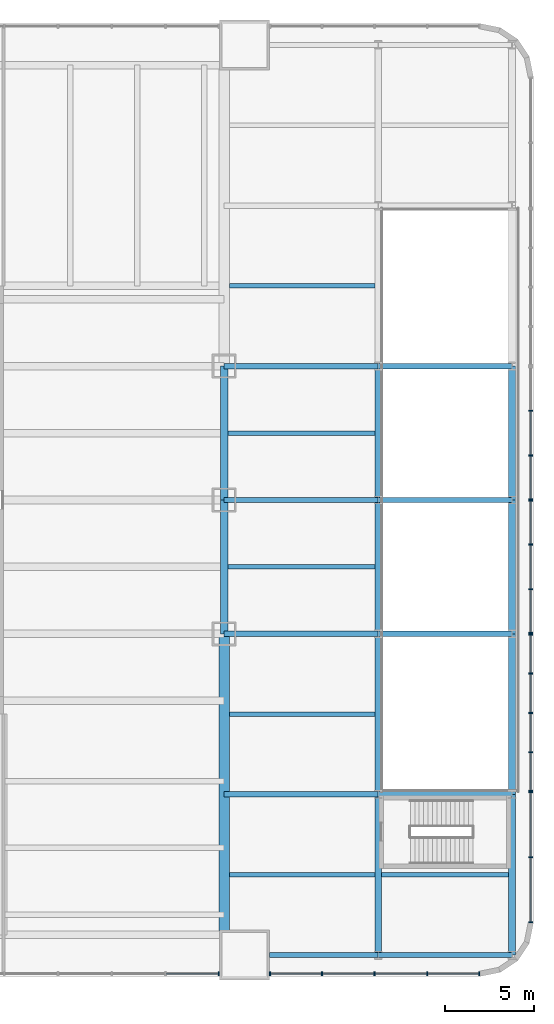
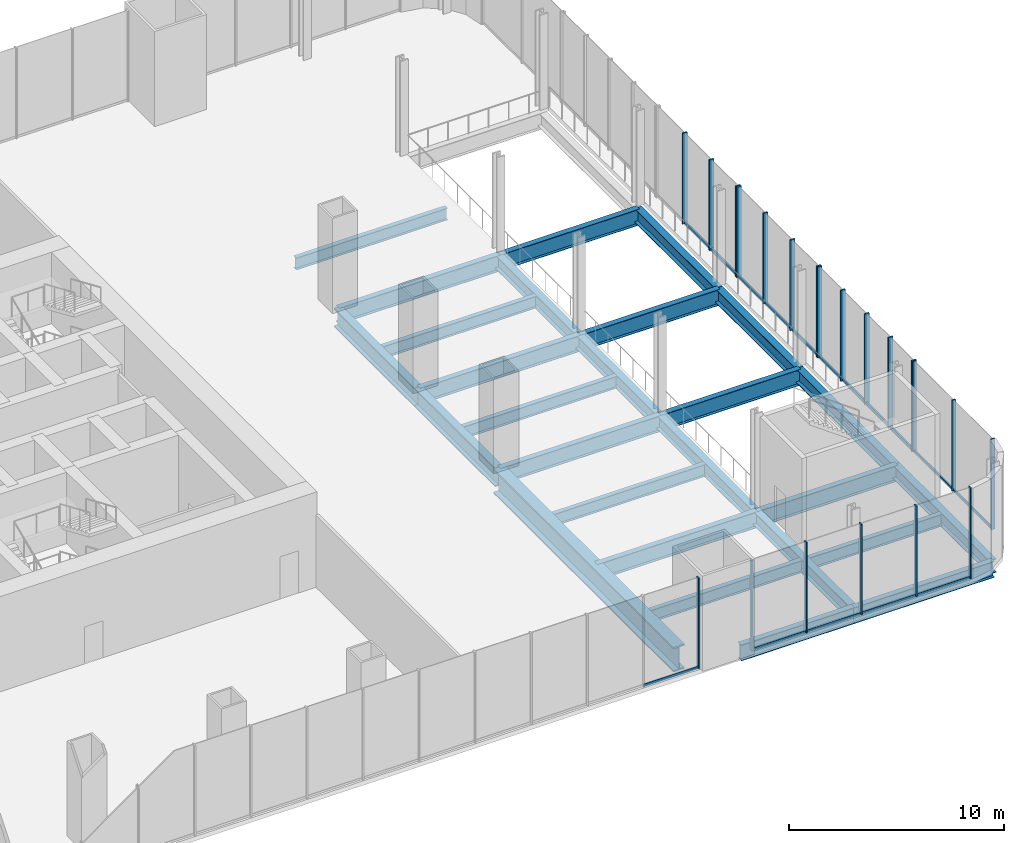
# One storey, part 8 of 16: 37 members, 27 beams, 6 elements without a shape of their own.
"""IFC4 building model written with IfcOpenShell, lengths in metres."""

from ifc_helpers import new_model, si_unit, direction, frame, origin, origin_2d, place, context, subcontext, project, spatial, rectangle, i_section, extrude, material, material_profile, profile_set, type_object, element, aggregate, save


model = new_model("IFC4")

# Units and contexts
model_context = context("Model", 3, precision=1e-05, world=origin(), true_north=direction((0.0, 1.0)))
body_context = subcontext(model_context, "Body", "Model", "MODEL_VIEW")
ifc_project = project(units=[si_unit("LENGTHUNIT", "METRE"), si_unit("AREAUNIT", "SQUARE_METRE"), si_unit("VOLUMEUNIT", "CUBIC_METRE"), si_unit("PLANEANGLEUNIT", "RADIAN"), si_unit("MASSUNIT", "GRAM", prefix="KILO")], contexts=[model_context])

# Site, building, storey
site_placement = place(None, origin())
site = spatial("IfcSite", under=ifc_project, at=site_placement, CompositionType="ELEMENT")
building_placement = place(site_placement, origin())
building = spatial("IfcBuilding", under=site, at=building_placement, Name="Tarangal Relay Tower", CompositionType="ELEMENT")
storey_placement = place(building_placement, frame((0.0, 0.0, 7.199951171875)))
storey = spatial("IfcBuildingStorey", under=building, at=storey_placement, Name="L01", CompositionType="ELEMENT", Elevation=7.199951171875)

# Beams
ifc_material_1 = material(Name="Steel ASTM A992", Category="steel")
ifc_material_profile_1 = material_profile(ifc_material_1, i_section(OverallWidth=0.41650390625, OverallDepth=1.0693359375, WebThickness=0.0390625, FlangeThickness=0.070068359375, at=origin_2d()), Name="W40X503")
ifc_profile_set_1 = profile_set([ifc_material_profile_1], Name="Steel ASTM A992")
beam_type_1 = type_object("IfcBeamType", Name="Edge girder W40X503", PredefinedType="SPANDREL", material=ifc_profile_set_1)
for number, where, z_axis, x_axis, name in (
    (1, (24.364990234375, 7.5, -0.78466796875), (0.0, -1.0, 0.0), (1.0, 0.0, 0.0), "Edge girder EG8 E L01"),
    (2, (24.364990234375, 0.0, -0.78466796875), (0.0, -1.0, 0.0), (1.0, 0.0, 0.0), "Edge girder EG8 E L01"),
):
    element("IfcBeam", number, at=place(storey_placement, frame(where, z_axis=z_axis, x_axis=x_axis)), inside=storey, type_object=beam_type_1, Name=name, PredefinedType="SPANDREL", context=body_context, shape_type="SweptSolid", body=[
        extrude(i_section(OverallWidth=0.41650390625, OverallDepth=1.0693359375, WebThickness=0.0390625, FlangeThickness=0.070068359375, at=origin_2d()), origin(), (0.0, 0.0, 1.0), 7.5),
    ])

# Curtain wall, member
ifc_material_2 = material(Name="Unitised curtain wall, dark glass and black aluminium", Category="aluminium")
curtain_wall_type_1 = type_object("IfcCurtainWallType", Name="Curtain wall CW-P", PredefinedType="USERDEFINED", material=ifc_material_2)
curtain_wall_1_placement = place(storey_placement, origin())
curtain_wall_1 = element("IfcCurtainWall", 3, at=curtain_wall_1_placement, inside=storey, type_object=curtain_wall_type_1, Name="Curtain wall CW-P Podium S facade L01", ObjectType="UNITISED CURTAIN WALL", PredefinedType="USERDEFINED")
ifc_material_3 = material(Name="Black anodised aluminium mullion", Category="aluminium")
ifc_material_profile_2 = material_profile(ifc_material_3, rectangle(XDim=0.199951171875, YDim=0.070068359375, at=origin_2d()), Name="CW-PM 70X200")
ifc_profile_set_2 = profile_set([ifc_material_profile_2], Name="Black anodised aluminium mullion")
member_type_1 = type_object("IfcMemberType", Name="Mullion CW-P 70 x 200", PredefinedType="MULLION", material=ifc_profile_set_2)
member_1_placement = place(storey_placement, frame((24.06494140625, -26.550048828125, 0.0), z_axis=(0.0, 0.0, 1.0), x_axis=(0.0, 1.0, 0.0)))
member_1 = element("IfcMember", 4, at=member_1_placement, type_object=member_type_1, Name="CW-P mullion 17", PredefinedType="MULLION", context=body_context, shape_type="SweptSolid", body=[
    extrude(rectangle(XDim=0.199951171875, YDim=0.070068359375, at=origin_2d()), origin(), (0.0, 0.0, 1.0), 5.150146484375),
])

# Curtain wall, members
curtain_wall_2_placement = place(storey_placement, origin())
curtain_wall_2 = element("IfcCurtainWall", 5, at=curtain_wall_2_placement, inside=storey, type_object=curtain_wall_type_1, Name="Curtain wall CW-P Podium S facade L01", ObjectType="UNITISED CURTAIN WALL", PredefinedType="USERDEFINED")
member_2_placement = place(storey_placement, frame((26.93505859375, -26.550048828125, 0.0), z_axis=(0.0, 0.0, 1.0), x_axis=(0.0, 1.0, 0.0)))
member_2 = element("IfcMember", 6, at=member_2_placement, type_object=member_type_1, Name="CW-P mullion 1", PredefinedType="MULLION", context=body_context, shape_type="SweptSolid", body=[
    extrude(rectangle(XDim=0.199951171875, YDim=0.070068359375, at=origin_2d()), origin(), (0.0, 0.0, 1.0), 5.150146484375),
])
member_3_placement = place(storey_placement, frame((29.85009765625, -26.550048828125, 0.0), z_axis=(0.0, 0.0, 1.0), x_axis=(0.0, 1.0, 0.0)))
member_3 = element("IfcMember", 7, at=member_3_placement, type_object=member_type_1, Name="CW-P mullion 2", PredefinedType="MULLION", context=body_context, shape_type="SweptSolid", body=[
    extrude(rectangle(XDim=0.199951171875, YDim=0.070068359375, at=origin_2d()), origin(), (0.0, 0.0, 1.0), 5.150146484375),
])
member_4_placement = place(storey_placement, frame((32.800048828125, -26.550048828125, 0.0), z_axis=(0.0, 0.0, 1.0), x_axis=(0.0, 1.0, 0.0)))
member_4 = element("IfcMember", 8, at=member_4_placement, type_object=member_type_1, Name="CW-P mullion 3", PredefinedType="MULLION", context=body_context, shape_type="SweptSolid", body=[
    extrude(rectangle(XDim=0.199951171875, YDim=0.070068359375, at=origin_2d()), origin(), (0.0, 0.0, 1.0), 5.150146484375),
])
member_5_placement = place(storey_placement, frame((35.75, -26.550048828125, 0.0), z_axis=(0.0, 0.0, 1.0), x_axis=(0.0, 1.0, 0.0)))
member_5 = element("IfcMember", 9, at=member_5_placement, type_object=member_type_1, Name="CW-P mullion 4", PredefinedType="MULLION", context=body_context, shape_type="SweptSolid", body=[
    extrude(rectangle(XDim=0.199951171875, YDim=0.070068359375, at=origin_2d()), origin(), (0.0, 0.0, 1.0), 5.150146484375),
])
member_6_placement = place(storey_placement, frame((38.6650390625, -26.550048828125, 0.0), z_axis=(0.0, 0.0, 1.0), x_axis=(0.0, 1.0, 0.0)))
member_6 = element("IfcMember", 10, at=member_6_placement, type_object=member_type_1, Name="CW-P mullion 5", PredefinedType="MULLION", context=body_context, shape_type="SweptSolid", body=[
    extrude(rectangle(XDim=0.199951171875, YDim=0.070068359375, at=origin_2d()), origin(), (0.0, 0.0, 1.0), 5.150146484375),
])

curtain_wall_3_placement = place(storey_placement, origin())
curtain_wall_3 = element("IfcCurtainWall", 11, at=curtain_wall_3_placement, inside=storey, type_object=curtain_wall_type_1, Name="Curtain wall CW-P Podium E facade L01", ObjectType="UNITISED CURTAIN WALL", PredefinedType="USERDEFINED")
member_7_placement = place(storey_placement, frame((41.550048828125, -23.6650390625, 0.0), z_axis=(0.0, 0.0, 1.0), x_axis=(-1.0, 0.0, 0.0)))
member_7 = element("IfcMember", 12, at=member_7_placement, type_object=member_type_1, Name="CW-P mullion 1", PredefinedType="MULLION", context=body_context, shape_type="SweptSolid", body=[
    extrude(rectangle(XDim=0.199951171875, YDim=0.070068359375, at=origin_2d()), origin(), (0.0, 0.0, 1.0), 5.150146484375),
])
member_8_placement = place(storey_placement, frame((41.550048828125, -20.02490234375, 0.0), z_axis=(0.0, 0.0, 1.0), x_axis=(-1.0, 0.0, 0.0)))
member_8 = element("IfcMember", 13, at=member_8_placement, type_object=member_type_1, Name="CW-P mullion 2", PredefinedType="MULLION", context=body_context, shape_type="SweptSolid", body=[
    extrude(rectangle(XDim=0.199951171875, YDim=0.070068359375, at=origin_2d()), origin(), (0.0, 0.0, 1.0), 5.150146484375),
])
member_9_placement = place(storey_placement, frame((41.550048828125, -16.385009765625, 0.0), z_axis=(0.0, 0.0, 1.0), x_axis=(-1.0, 0.0, 0.0)))
member_9 = element("IfcMember", 14, at=member_9_placement, type_object=member_type_1, Name="CW-P mullion 3", PredefinedType="MULLION", context=body_context, shape_type="SweptSolid", body=[
    extrude(rectangle(XDim=0.199951171875, YDim=0.070068359375, at=origin_2d()), origin(), (0.0, 0.0, 1.0), 5.150146484375),
])

curtain_wall_type_2 = type_object("IfcCurtainWallType", Name="Curtain wall CW-T", PredefinedType="USERDEFINED", material=ifc_material_2)
curtain_wall_4_placement = place(storey_placement, origin())
curtain_wall_4 = element("IfcCurtainWall", 15, at=curtain_wall_4_placement, inside=storey, type_object=curtain_wall_type_2, Name="Curtain wall CW-T Podium E facade L01", ObjectType="UNITISED CURTAIN WALL", PredefinedType="USERDEFINED")
ifc_material_profile_3 = material_profile(ifc_material_3, rectangle(XDim=0.25, YDim=0.080078125, at=origin_2d()), Name="CW-TM 80X250")
ifc_profile_set_3 = profile_set([ifc_material_profile_3], Name="Black anodised aluminium mullion")
member_type_2 = type_object("IfcMemberType", Name="Mullion CW-T 80 x 250", PredefinedType="MULLION", material=ifc_profile_set_3)
member_10_placement = place(storey_placement, frame((41.550048828125, -16.31005859375, 0.0), z_axis=(0.0, 0.0, 1.0), x_axis=(-1.0, 0.0, 0.0)))
member_10 = element("IfcMember", 16, at=member_10_placement, type_object=member_type_2, Name="CW-T mullion 1", PredefinedType="MULLION", context=body_context, shape_type="SweptSolid", body=[
    extrude(rectangle(XDim=0.25, YDim=0.080078125, at=origin_2d()), origin(), (0.0, 0.0, 1.0), 5.150146484375),
])
member_11_placement = place(storey_placement, frame((41.550048828125, -14.137451171875, 0.0), z_axis=(0.0, 0.0, 1.0), x_axis=(-1.0, 0.0, 0.0)))
member_11 = element("IfcMember", 17, at=member_11_placement, type_object=member_type_2, Name="CW-T mullion 2", PredefinedType="MULLION", context=body_context, shape_type="SweptSolid", body=[
    extrude(rectangle(XDim=0.25, YDim=0.080078125, at=origin_2d()), origin(), (0.0, 0.0, 1.0), 5.150146484375),
])
member_12_placement = place(storey_placement, frame((41.550048828125, -11.925048828125, 0.0), z_axis=(0.0, 0.0, 1.0), x_axis=(-1.0, 0.0, 0.0)))
member_12 = element("IfcMember", 18, at=member_12_placement, type_object=member_type_2, Name="CW-T mullion 3", PredefinedType="MULLION", context=body_context, shape_type="SweptSolid", body=[
    extrude(rectangle(XDim=0.25, YDim=0.080078125, at=origin_2d()), origin(), (0.0, 0.0, 1.0), 5.150146484375),
])
member_13_placement = place(storey_placement, frame((41.550048828125, -9.71240234375, 0.0), z_axis=(0.0, 0.0, 1.0), x_axis=(-1.0, 0.0, 0.0)))
member_13 = element("IfcMember", 19, at=member_13_placement, type_object=member_type_2, Name="CW-T mullion 4", PredefinedType="MULLION", context=body_context, shape_type="SweptSolid", body=[
    extrude(rectangle(XDim=0.25, YDim=0.080078125, at=origin_2d()), origin(), (0.0, 0.0, 1.0), 5.150146484375),
])
member_14_placement = place(storey_placement, frame((41.550048828125, -7.5400390625, 0.0), z_axis=(0.0, 0.0, 1.0), x_axis=(-1.0, 0.0, 0.0)))
member_14 = element("IfcMember", 20, at=member_14_placement, type_object=member_type_2, Name="CW-T mullion 5", PredefinedType="MULLION", context=body_context, shape_type="SweptSolid", body=[
    extrude(rectangle(XDim=0.25, YDim=0.080078125, at=origin_2d()), origin(), (0.0, 0.0, 1.0), 5.150146484375),
])

curtain_wall_5_placement = place(storey_placement, origin())
curtain_wall_5 = element("IfcCurtainWall", 21, at=curtain_wall_5_placement, inside=storey, type_object=curtain_wall_type_2, Name="Curtain wall CW-T Podium E facade L01", ObjectType="UNITISED CURTAIN WALL", PredefinedType="USERDEFINED")
member_15_placement = place(storey_placement, frame((41.550048828125, -7.4599609375, 0.0), z_axis=(0.0, 0.0, 1.0), x_axis=(-1.0, 0.0, 0.0)))
member_15 = element("IfcMember", 22, at=member_15_placement, type_object=member_type_2, Name="CW-T mullion 1", PredefinedType="MULLION", context=body_context, shape_type="SweptSolid", body=[
    extrude(rectangle(XDim=0.25, YDim=0.080078125, at=origin_2d()), origin(), (0.0, 0.0, 1.0), 5.150146484375),
])
member_16_placement = place(storey_placement, frame((41.550048828125, -5.0, 0.0), z_axis=(0.0, 0.0, 1.0), x_axis=(-1.0, 0.0, 0.0)))
member_16 = element("IfcMember", 23, at=member_16_placement, type_object=member_type_2, Name="CW-T mullion 2", PredefinedType="MULLION", context=body_context, shape_type="SweptSolid", body=[
    extrude(rectangle(XDim=0.25, YDim=0.080078125, at=origin_2d()), origin(), (0.0, 0.0, 1.0), 5.150146484375),
])
member_17_placement = place(storey_placement, frame((41.550048828125, -2.5, 0.0), z_axis=(0.0, 0.0, 1.0), x_axis=(-1.0, 0.0, 0.0)))
member_17 = element("IfcMember", 24, at=member_17_placement, type_object=member_type_2, Name="CW-T mullion 3", PredefinedType="MULLION", context=body_context, shape_type="SweptSolid", body=[
    extrude(rectangle(XDim=0.25, YDim=0.080078125, at=origin_2d()), origin(), (0.0, 0.0, 1.0), 5.150146484375),
])
member_18_placement = place(storey_placement, frame((41.550048828125, -0.0400390625, 0.0), z_axis=(0.0, 0.0, 1.0), x_axis=(-1.0, 0.0, 0.0)))
member_18 = element("IfcMember", 25, at=member_18_placement, type_object=member_type_2, Name="CW-T mullion 4", PredefinedType="MULLION", context=body_context, shape_type="SweptSolid", body=[
    extrude(rectangle(XDim=0.25, YDim=0.080078125, at=origin_2d()), origin(), (0.0, 0.0, 1.0), 5.150146484375),
])

curtain_wall_6_placement = place(storey_placement, origin())
curtain_wall_6 = element("IfcCurtainWall", 26, at=curtain_wall_6_placement, inside=storey, type_object=curtain_wall_type_2, Name="Curtain wall CW-T Podium E facade L01", ObjectType="UNITISED CURTAIN WALL", PredefinedType="USERDEFINED")
member_19_placement = place(storey_placement, frame((41.550048828125, 0.0400390625, 0.0), z_axis=(0.0, 0.0, 1.0), x_axis=(-1.0, 0.0, 0.0)))
member_19 = element("IfcMember", 27, at=member_19_placement, type_object=member_type_2, Name="CW-T mullion 1", PredefinedType="MULLION", context=body_context, shape_type="SweptSolid", body=[
    extrude(rectangle(XDim=0.25, YDim=0.080078125, at=origin_2d()), origin(), (0.0, 0.0, 1.0), 5.150146484375),
])
member_20_placement = place(storey_placement, frame((41.550048828125, 2.5, 0.0), z_axis=(0.0, 0.0, 1.0), x_axis=(-1.0, 0.0, 0.0)))
member_20 = element("IfcMember", 28, at=member_20_placement, type_object=member_type_2, Name="CW-T mullion 2", PredefinedType="MULLION", context=body_context, shape_type="SweptSolid", body=[
    extrude(rectangle(XDim=0.25, YDim=0.080078125, at=origin_2d()), origin(), (0.0, 0.0, 1.0), 5.150146484375),
])
member_21_placement = place(storey_placement, frame((41.550048828125, 5.0, 0.0), z_axis=(0.0, 0.0, 1.0), x_axis=(-1.0, 0.0, 0.0)))
member_21 = element("IfcMember", 29, at=member_21_placement, type_object=member_type_2, Name="CW-T mullion 3", PredefinedType="MULLION", context=body_context, shape_type="SweptSolid", body=[
    extrude(rectangle(XDim=0.25, YDim=0.080078125, at=origin_2d()), origin(), (0.0, 0.0, 1.0), 5.150146484375),
])

# Beams
ifc_material_profile_4 = material_profile(ifc_material_1, i_section(OverallWidth=0.3046875, OverallDepth=0.911865234375, WebThickness=0.015869140625, FlangeThickness=0.02392578125, at=origin_2d()), Name="W36X150")
ifc_profile_set_4 = profile_set([ifc_material_profile_4], Name="Steel ASTM A992")
beam_type_2 = type_object("IfcBeamType", Name="Podium beam W36X150", PredefinedType="BEAM", material=ifc_profile_set_4)
beam_1_placement = place(storey_placement, frame((26.89990234375, -25.5, -0.705810546875), z_axis=(1.0, 0.0, 0.0), x_axis=(0.0, 1.0, 0.0)))
element("IfcBeam", 30, at=beam_1_placement, inside=storey, type_object=beam_type_2, Name="Podium beam PB1 L01", PredefinedType="BEAM", context=body_context, shape_type="SweptSolid", body=[
    extrude(i_section(OverallWidth=0.3046875, OverallDepth=0.911865234375, WebThickness=0.015869140625, FlangeThickness=0.02392578125, at=origin_2d()), origin(), (0.0, 0.0, 1.0), 6.10009765625),
])
beam_2_placement = place(storey_placement, frame((33.0, -25.5, -0.705810546875), z_axis=(1.0, 0.0, 0.0), x_axis=(0.0, 1.0, 0.0)))
element("IfcBeam", 31, at=beam_2_placement, inside=storey, type_object=beam_type_2, Name="Podium beam PB1 L01", PredefinedType="BEAM", context=body_context, shape_type="SweptSolid", body=[
    extrude(i_section(OverallWidth=0.3046875, OverallDepth=0.911865234375, WebThickness=0.015869140625, FlangeThickness=0.02392578125, at=origin_2d()), origin(), (0.0, 0.0, 1.0), 7.5),
])
beam_3_placement = place(storey_placement, frame((24.364990234375, -16.5, -0.705810546875), z_axis=(1.0, 0.0, 0.0), x_axis=(0.0, 1.0, 0.0)))
element("IfcBeam", 32, at=beam_3_placement, inside=storey, type_object=beam_type_2, Name="Podium beam PB1 L01", PredefinedType="BEAM", context=body_context, shape_type="SweptSolid", body=[
    extrude(i_section(OverallWidth=0.3046875, OverallDepth=0.911865234375, WebThickness=0.015869140625, FlangeThickness=0.02392578125, at=origin_2d()), origin(), (0.0, 0.0, 1.0), 8.635009765625),
])
beam_4_placement = place(storey_placement, frame((33.0, -16.5, -0.705810546875), z_axis=(1.0, 0.0, 0.0), x_axis=(0.0, 1.0, 0.0)))
element("IfcBeam", 33, at=beam_4_placement, inside=storey, type_object=beam_type_2, Name="Podium beam PB1 L01", PredefinedType="BEAM", context=body_context, shape_type="SweptSolid", body=[
    extrude(i_section(OverallWidth=0.3046875, OverallDepth=0.911865234375, WebThickness=0.015869140625, FlangeThickness=0.02392578125, at=origin_2d()), origin(), (0.0, 0.0, 1.0), 7.5),
])
beam_5_placement = place(storey_placement, frame((24.364990234375, -7.5, -0.705810546875), z_axis=(1.0, 0.0, 0.0), x_axis=(0.0, 1.0, 0.0)))
element("IfcBeam", 34, at=beam_5_placement, inside=storey, type_object=beam_type_2, Name="Podium beam PB1 L01", PredefinedType="BEAM", context=body_context, shape_type="SweptSolid", body=[
    extrude(i_section(OverallWidth=0.3046875, OverallDepth=0.911865234375, WebThickness=0.015869140625, FlangeThickness=0.02392578125, at=origin_2d()), origin(), (0.0, 0.0, 1.0), 8.635009765625),
])
beam_6_placement = place(storey_placement, frame((33.0, -7.5, -0.705810546875), z_axis=(1.0, 0.0, 0.0), x_axis=(0.0, 1.0, 0.0)))
element("IfcBeam", 35, at=beam_6_placement, inside=storey, type_object=beam_type_2, Name="Podium beam PB1 L01", PredefinedType="BEAM", context=body_context, shape_type="SweptSolid", body=[
    extrude(i_section(OverallWidth=0.3046875, OverallDepth=0.911865234375, WebThickness=0.015869140625, FlangeThickness=0.02392578125, at=origin_2d()), origin(), (0.0, 0.0, 1.0), 7.5),
])
beam_7_placement = place(storey_placement, frame((24.364990234375, 0.0, -0.705810546875), z_axis=(1.0, 0.0, 0.0), x_axis=(0.0, 1.0, 0.0)))
element("IfcBeam", 36, at=beam_7_placement, inside=storey, type_object=beam_type_2, Name="Podium beam PB1 L01", PredefinedType="BEAM", context=body_context, shape_type="SweptSolid", body=[
    extrude(i_section(OverallWidth=0.3046875, OverallDepth=0.911865234375, WebThickness=0.015869140625, FlangeThickness=0.02392578125, at=origin_2d()), origin(), (0.0, 0.0, 1.0), 8.635009765625),
])
beam_8_placement = place(storey_placement, frame((33.0, 0.0, -0.705810546875), z_axis=(1.0, 0.0, 0.0), x_axis=(0.0, 1.0, 0.0)))
element("IfcBeam", 37, at=beam_8_placement, inside=storey, type_object=beam_type_2, Name="Podium beam PB1 L01", PredefinedType="BEAM", context=body_context, shape_type="SweptSolid", body=[
    extrude(i_section(OverallWidth=0.3046875, OverallDepth=0.911865234375, WebThickness=0.015869140625, FlangeThickness=0.02392578125, at=origin_2d()), origin(), (0.0, 0.0, 1.0), 7.5),
])
beam_9_placement = place(storey_placement, frame((24.364990234375, 7.5, -0.705810546875), z_axis=(1.0, 0.0, 0.0), x_axis=(0.0, 1.0, 0.0)))
element("IfcBeam", 38, at=beam_9_placement, inside=storey, type_object=beam_type_2, Name="Podium beam PB1 L01", PredefinedType="BEAM", context=body_context, shape_type="SweptSolid", body=[
    extrude(i_section(OverallWidth=0.3046875, OverallDepth=0.911865234375, WebThickness=0.015869140625, FlangeThickness=0.02392578125, at=origin_2d()), origin(), (0.0, 0.0, 1.0), 8.635009765625),
])
beam_10_placement = place(storey_placement, frame((33.0, 7.5, -0.705810546875), z_axis=(1.0, 0.0, 0.0), x_axis=(0.0, 1.0, 0.0)))
element("IfcBeam", 39, at=beam_10_placement, inside=storey, type_object=beam_type_2, Name="Podium beam PB1 L01", PredefinedType="BEAM", context=body_context, shape_type="SweptSolid", body=[
    extrude(i_section(OverallWidth=0.3046875, OverallDepth=0.911865234375, WebThickness=0.015869140625, FlangeThickness=0.02392578125, at=origin_2d()), origin(), (0.0, 0.0, 1.0), 7.5),
])
ifc_material_profile_5 = material_profile(ifc_material_1, i_section(OverallWidth=0.383544921875, OverallDepth=0.784912109375, WebThickness=0.019775390625, FlangeThickness=0.033447265625, at=origin_2d()), Name="W30X211")
ifc_profile_set_5 = profile_set([ifc_material_profile_5], Name="Steel ASTM A992")
beam_type_3 = type_object("IfcBeamType", Name="Podium girder W30X211", PredefinedType="BEAM", material=ifc_profile_set_5)
for number, where, z_axis, x_axis, name in (
    (40, (33.0, -25.5, -0.642333984375), (0.0, 1.0, 0.0), (-1.0, 0.0, 0.0), "Podium girder PG1 L01"),
    (41, (33.0, -16.5, -0.642333984375), (0.0, 1.0, 0.0), (-1.0, 0.0, 0.0), "Podium girder PG1 L01"),
):
    element("IfcBeam", number, at=place(storey_placement, frame(where, z_axis=z_axis, x_axis=x_axis)), inside=storey, type_object=beam_type_3, Name=name, PredefinedType="BEAM", context=body_context, shape_type="SweptSolid", body=[
        extrude(i_section(OverallWidth=0.383544921875, OverallDepth=0.784912109375, WebThickness=0.019775390625, FlangeThickness=0.033447265625, at=origin_2d()), origin(), (0.0, 0.0, 1.0), 9.0),
    ])
for number, where, z_axis, x_axis, name in (
    (42, (33.0, -7.5, -0.642333984375), (0.0, 1.0, 0.0), (-1.0, 0.0, 0.0), "Podium girder PG1 L01"),
    (43, (33.0, 0.0, -0.642333984375), (0.0, 1.0, 0.0), (-1.0, 0.0, 0.0), "Podium girder PG1 L01"),
):
    element("IfcBeam", number, at=place(storey_placement, frame(where, z_axis=z_axis, x_axis=x_axis)), inside=storey, type_object=beam_type_3, Name=name, PredefinedType="BEAM", context=body_context, shape_type="SweptSolid", body=[
        extrude(i_section(OverallWidth=0.383544921875, OverallDepth=0.784912109375, WebThickness=0.019775390625, FlangeThickness=0.033447265625, at=origin_2d()), origin(), (0.0, 0.0, 1.0), 7.5),
    ])
for number, where, z_axis, x_axis, name in (
    (44, (40.5, -25.5, -0.642333984375), (0.0, 1.0, 0.0), (-1.0, 0.0, 0.0), "Podium girder PG1 L01"),
    (45, (40.5, -16.5, -0.642333984375), (0.0, 1.0, 0.0), (-1.0, 0.0, 0.0), "Podium girder PG1 L01"),
):
    element("IfcBeam", number, at=place(storey_placement, frame(where, z_axis=z_axis, x_axis=x_axis)), inside=storey, type_object=beam_type_3, Name=name, PredefinedType="BEAM", context=body_context, shape_type="SweptSolid", body=[
        extrude(i_section(OverallWidth=0.383544921875, OverallDepth=0.784912109375, WebThickness=0.019775390625, FlangeThickness=0.033447265625, at=origin_2d()), origin(), (0.0, 0.0, 1.0), 9.0),
    ])
for number, where, z_axis, x_axis, name in (
    (46, (40.5, -7.5, -0.642333984375), (0.0, 1.0, 0.0), (-1.0, 0.0, 0.0), "Podium girder PG1 L01"),
    (47, (40.5, 0.0, -0.642333984375), (0.0, 1.0, 0.0), (-1.0, 0.0, 0.0), "Podium girder PG1 L01"),
):
    element("IfcBeam", number, at=place(storey_placement, frame(where, z_axis=z_axis, x_axis=x_axis)), inside=storey, type_object=beam_type_3, Name=name, PredefinedType="BEAM", context=body_context, shape_type="SweptSolid", body=[
        extrude(i_section(OverallWidth=0.383544921875, OverallDepth=0.784912109375, WebThickness=0.019775390625, FlangeThickness=0.033447265625, at=origin_2d()), origin(), (0.0, 0.0, 1.0), 7.5),
    ])
ifc_material_profile_6 = material_profile(ifc_material_1, i_section(OverallWidth=0.25390625, OverallDepth=0.683349609375, WebThickness=0.012451171875, FlangeThickness=0.018798828125, at=origin_2d()), Name="W27X94")
ifc_profile_set_6 = profile_set([ifc_material_profile_6], Name="Steel ASTM A992")
beam_type_4 = type_object("IfcBeamType", Name="Podium joist W27X94", PredefinedType="JOIST", material=ifc_profile_set_6)
beam_11_placement = place(storey_placement, frame((24.6650390625, -21.0, -0.591552734375), z_axis=(1.0, 0.0, 0.0), x_axis=(0.0, 1.0, 0.0)))
element("IfcBeam", 48, at=beam_11_placement, inside=storey, type_object=beam_type_4, Name="Podium joist PJ1 L01", PredefinedType="JOIST", context=body_context, shape_type="SweptSolid", body=[
    extrude(i_section(OverallWidth=0.25390625, OverallDepth=0.683349609375, WebThickness=0.012451171875, FlangeThickness=0.018798828125, at=origin_2d()), origin(), (0.0, 0.0, 1.0), 8.14404296875),
])
beam_12_placement = place(storey_placement, frame((33.19091796875, -21.0, -0.591552734375), z_axis=(1.0, 0.0, 0.0), x_axis=(0.0, 1.0, 0.0)))
element("IfcBeam", 49, at=beam_12_placement, inside=storey, type_object=beam_type_4, Name="Podium joist PJ1 L01", PredefinedType="JOIST", context=body_context, shape_type="SweptSolid", body=[
    extrude(i_section(OverallWidth=0.25390625, OverallDepth=0.683349609375, WebThickness=0.012451171875, FlangeThickness=0.018798828125, at=origin_2d()), origin(), (0.0, 0.0, 1.0), 7.1181640625),
])
beam_13_placement = place(storey_placement, frame((24.6650390625, -12.0, -0.591552734375), z_axis=(1.0, 0.0, 0.0), x_axis=(0.0, 1.0, 0.0)))
element("IfcBeam", 50, at=beam_13_placement, inside=storey, type_object=beam_type_4, Name="Podium joist PJ1 L01", PredefinedType="JOIST", context=body_context, shape_type="SweptSolid", body=[
    extrude(i_section(OverallWidth=0.25390625, OverallDepth=0.683349609375, WebThickness=0.012451171875, FlangeThickness=0.018798828125, at=origin_2d()), origin(), (0.0, 0.0, 1.0), 8.14404296875),
])
for number, where, z_axis, x_axis, name in (
    (51, (24.572998046875, -3.75, -0.591552734375), (1.0, 0.0, 0.0), (0.0, 1.0, 0.0), "Podium joist PJ1 L01"),
    (52, (24.572998046875, 3.75, -0.591552734375), (1.0, 0.0, 0.0), (0.0, 1.0, 0.0), "Podium joist PJ1 L01"),
):
    element("IfcBeam", number, at=place(storey_placement, frame(where, z_axis=z_axis, x_axis=x_axis)), inside=storey, type_object=beam_type_4, Name=name, PredefinedType="JOIST", context=body_context, shape_type="SweptSolid", body=[
        extrude(i_section(OverallWidth=0.25390625, OverallDepth=0.683349609375, WebThickness=0.012451171875, FlangeThickness=0.018798828125, at=origin_2d()), origin(), (0.0, 0.0, 1.0), 8.236083984375),
    ])
beam_14_placement = place(storey_placement, frame((24.6650390625, 12.0, -0.591552734375), z_axis=(1.0, 0.0, 0.0), x_axis=(0.0, 1.0, 0.0)))
element("IfcBeam", 53, at=beam_14_placement, inside=storey, type_object=beam_type_4, Name="Podium joist PJ1 L01", PredefinedType="JOIST", context=body_context, shape_type="SweptSolid", body=[
    extrude(i_section(OverallWidth=0.25390625, OverallDepth=0.683349609375, WebThickness=0.012451171875, FlangeThickness=0.018798828125, at=origin_2d()), origin(), (0.0, 0.0, 1.0), 8.14404296875),
])
ifc_material_4 = material(Name="Steel ASTM A572 Grade 50", Category="steel")
ifc_material_profile_7 = material_profile(ifc_material_4, i_section(OverallWidth=0.60009765625, OverallDepth=1.39990234375, WebThickness=0.030029296875, FlangeThickness=0.080078125, at=origin_2d()), Name="PG1400X600X80X30")
ifc_profile_set_7 = profile_set([ifc_material_profile_7], Name="Steel ASTM A572 Grade 50")
beam_type_5 = type_object("IfcBeamType", Name="Transfer girder PG1400X600X80X30", PredefinedType="SPANDREL", material=ifc_profile_set_7)
beam_15_placement = place(storey_placement, frame((24.364990234375, -7.5, -0.949951171875), z_axis=(0.0, -1.0, 0.0), x_axis=(1.0, 0.0, 0.0)))
element("IfcBeam", 54, at=beam_15_placement, inside=storey, type_object=beam_type_5, Name="Transfer girder TG1 E L01", PredefinedType="SPANDREL", context=body_context, shape_type="SweptSolid", body=[
    extrude(i_section(OverallWidth=0.60009765625, OverallDepth=1.39990234375, WebThickness=0.030029296875, FlangeThickness=0.080078125, at=origin_2d()), origin(), (0.0, 0.0, 1.0), 16.75),
])

# Member
ifc_material_5 = material(Name="Black anodised aluminium transom", Category="aluminium")
ifc_material_profile_8 = material_profile(ifc_material_5, rectangle(XDim=0.070068359375, YDim=0.159912109375, at=origin_2d()), Name="CW-PT 70X160")
ifc_profile_set_8 = profile_set([ifc_material_profile_8], Name="Black anodised aluminium transom")
member_type_3 = type_object("IfcMemberType", Name="Transom CW-P 70 x 160", PredefinedType="USERDEFINED", material=ifc_profile_set_8)
member_22_placement = place(storey_placement, frame((21.12255859375, -26.550048828125, 0.03515625), z_axis=(1.0, 0.0, 0.0), x_axis=(0.0, 1.0, 0.0)))
member_22 = element("IfcMember", 55, at=member_22_placement, type_object=member_type_3, Name="CW-P transom 16.1", ObjectType="TRANSOM", PredefinedType="USERDEFINED", context=body_context, shape_type="SweptSolid", body=[
    extrude(rectangle(XDim=0.070068359375, YDim=0.159912109375, at=origin_2d()), origin(), (0.0, 0.0, 1.0), 2.907470703125),
])

aggregate(curtain_wall_1, [member_1, member_22])

member_23_placement = place(storey_placement, frame((26.969970703125, -26.550048828125, 0.03515625), z_axis=(1.0, 0.0, 0.0), x_axis=(0.0, 1.0, 0.0)))
member_23 = element("IfcMember", 56, at=member_23_placement, type_object=member_type_3, Name="CW-P transom 1.1", ObjectType="TRANSOM", PredefinedType="USERDEFINED", context=body_context, shape_type="SweptSolid", body=[
    extrude(rectangle(XDim=0.070068359375, YDim=0.159912109375, at=origin_2d()), origin(), (0.0, 0.0, 1.0), 2.844970703125),
])

member_24_placement = place(storey_placement, frame((29.885009765625, -26.550048828125, 0.03515625), z_axis=(1.0, 0.0, 0.0), x_axis=(0.0, 1.0, 0.0)))
member_24 = element("IfcMember", 57, at=member_24_placement, type_object=member_type_3, Name="CW-P transom 2.1", ObjectType="TRANSOM", PredefinedType="USERDEFINED", context=body_context, shape_type="SweptSolid", body=[
    extrude(rectangle(XDim=0.070068359375, YDim=0.159912109375, at=origin_2d()), origin(), (0.0, 0.0, 1.0), 2.8798828125),
])

member_25_placement = place(storey_placement, frame((32.8349609375, -26.550048828125, 0.03515625), z_axis=(1.0, 0.0, 0.0), x_axis=(0.0, 1.0, 0.0)))
member_25 = element("IfcMember", 58, at=member_25_placement, type_object=member_type_3, Name="CW-P transom 3.1", ObjectType="TRANSOM", PredefinedType="USERDEFINED", context=body_context, shape_type="SweptSolid", body=[
    extrude(rectangle(XDim=0.070068359375, YDim=0.159912109375, at=origin_2d()), origin(), (0.0, 0.0, 1.0), 2.880126953125),
])

member_26_placement = place(storey_placement, frame((35.784912109375, -26.550048828125, 0.03515625), z_axis=(1.0, 0.0, 0.0), x_axis=(0.0, 1.0, 0.0)))
member_26 = element("IfcMember", 59, at=member_26_placement, type_object=member_type_3, Name="CW-P transom 4.1", ObjectType="TRANSOM", PredefinedType="USERDEFINED", context=body_context, shape_type="SweptSolid", body=[
    extrude(rectangle(XDim=0.070068359375, YDim=0.159912109375, at=origin_2d()), origin(), (0.0, 0.0, 1.0), 2.844970703125),
])

aggregate(curtain_wall_2, [member_2, member_3, member_4, member_5, member_6, member_23, member_24, member_25, member_26])

member_27_placement = place(storey_placement, frame((41.550048828125, -23.6298828125, 0.03515625), z_axis=(0.0, 1.0, 0.0), x_axis=(-1.0, 0.0, 0.0)))
member_27 = element("IfcMember", 60, at=member_27_placement, type_object=member_type_3, Name="CW-P transom 1.1", ObjectType="TRANSOM", PredefinedType="USERDEFINED", context=body_context, shape_type="SweptSolid", body=[
    extrude(rectangle(XDim=0.070068359375, YDim=0.159912109375, at=origin_2d()), origin(), (0.0, 0.0, 1.0), 3.56982421875),
])

member_28_placement = place(storey_placement, frame((41.550048828125, -19.989990234375, 0.03515625), z_axis=(0.0, 1.0, 0.0), x_axis=(-1.0, 0.0, 0.0)))
member_28 = element("IfcMember", 61, at=member_28_placement, type_object=member_type_3, Name="CW-P transom 2.1", ObjectType="TRANSOM", PredefinedType="USERDEFINED", context=body_context, shape_type="SweptSolid", body=[
    extrude(rectangle(XDim=0.070068359375, YDim=0.159912109375, at=origin_2d()), origin(), (0.0, 0.0, 1.0), 3.570068359375),
])

aggregate(curtain_wall_3, [member_7, member_8, member_9, member_27, member_28])

ifc_material_profile_9 = material_profile(ifc_material_5, rectangle(XDim=0.080078125, YDim=0.199951171875, at=origin_2d()), Name="CW-TT 80X200")
ifc_profile_set_9 = profile_set([ifc_material_profile_9], Name="Black anodised aluminium transom")
member_type_4 = type_object("IfcMemberType", Name="Transom CW-T 80 x 200", PredefinedType="USERDEFINED", material=ifc_profile_set_9)
member_29_placement = place(storey_placement, frame((41.550048828125, -16.27001953125, 0.0400390625), z_axis=(0.0, 1.0, 0.0), x_axis=(-1.0, 0.0, 0.0)))
member_29 = element("IfcMember", 62, at=member_29_placement, type_object=member_type_4, Name="CW-T transom 1.1", ObjectType="TRANSOM", PredefinedType="USERDEFINED", context=body_context, shape_type="SweptSolid", body=[
    extrude(rectangle(XDim=0.080078125, YDim=0.199951171875, at=origin_2d()), origin(), (0.0, 0.0, 1.0), 2.092529296875),
])

member_30_placement = place(storey_placement, frame((41.550048828125, -14.097412109375, 0.0400390625), z_axis=(0.0, 1.0, 0.0), x_axis=(-1.0, 0.0, 0.0)))
member_30 = element("IfcMember", 63, at=member_30_placement, type_object=member_type_4, Name="CW-T transom 2.1", ObjectType="TRANSOM", PredefinedType="USERDEFINED", context=body_context, shape_type="SweptSolid", body=[
    extrude(rectangle(XDim=0.080078125, YDim=0.199951171875, at=origin_2d()), origin(), (0.0, 0.0, 1.0), 2.13232421875),
])

member_31_placement = place(storey_placement, frame((41.550048828125, -11.885009765625, 0.0400390625), z_axis=(0.0, 1.0, 0.0), x_axis=(-1.0, 0.0, 0.0)))
member_31 = element("IfcMember", 64, at=member_31_placement, type_object=member_type_4, Name="CW-T transom 3.1", ObjectType="TRANSOM", PredefinedType="USERDEFINED", context=body_context, shape_type="SweptSolid", body=[
    extrude(rectangle(XDim=0.080078125, YDim=0.199951171875, at=origin_2d()), origin(), (0.0, 0.0, 1.0), 2.132568359375),
])

member_32_placement = place(storey_placement, frame((41.550048828125, -9.672607421875, 0.0400390625), z_axis=(0.0, 1.0, 0.0), x_axis=(-1.0, 0.0, 0.0)))
member_32 = element("IfcMember", 65, at=member_32_placement, type_object=member_type_4, Name="CW-T transom 4.1", ObjectType="TRANSOM", PredefinedType="USERDEFINED", context=body_context, shape_type="SweptSolid", body=[
    extrude(rectangle(XDim=0.080078125, YDim=0.199951171875, at=origin_2d()), origin(), (0.0, 0.0, 1.0), 2.092529296875),
])

aggregate(curtain_wall_4, [member_10, member_11, member_12, member_13, member_14, member_29, member_30, member_31, member_32])

member_33_placement = place(storey_placement, frame((41.550048828125, -7.419921875, 0.0400390625), z_axis=(0.0, 1.0, 0.0), x_axis=(-1.0, 0.0, 0.0)))
member_33 = element("IfcMember", 66, at=member_33_placement, type_object=member_type_4, Name="CW-T transom 1.1", ObjectType="TRANSOM", PredefinedType="USERDEFINED", context=body_context, shape_type="SweptSolid", body=[
    extrude(rectangle(XDim=0.080078125, YDim=0.199951171875, at=origin_2d()), origin(), (0.0, 0.0, 1.0), 2.3798828125),
])

member_34_placement = place(storey_placement, frame((41.550048828125, -4.9599609375, 0.0400390625), z_axis=(0.0, 1.0, 0.0), x_axis=(-1.0, 0.0, 0.0)))
member_34 = element("IfcMember", 67, at=member_34_placement, type_object=member_type_4, Name="CW-T transom 2.1", ObjectType="TRANSOM", PredefinedType="USERDEFINED", context=body_context, shape_type="SweptSolid", body=[
    extrude(rectangle(XDim=0.080078125, YDim=0.199951171875, at=origin_2d()), origin(), (0.0, 0.0, 1.0), 2.419921875),
])

member_35_placement = place(storey_placement, frame((41.550048828125, -2.4599609375, 0.0400390625), z_axis=(0.0, 1.0, 0.0), x_axis=(-1.0, 0.0, 0.0)))
member_35 = element("IfcMember", 68, at=member_35_placement, type_object=member_type_4, Name="CW-T transom 3.1", ObjectType="TRANSOM", PredefinedType="USERDEFINED", context=body_context, shape_type="SweptSolid", body=[
    extrude(rectangle(XDim=0.080078125, YDim=0.199951171875, at=origin_2d()), origin(), (0.0, 0.0, 1.0), 2.3798828125),
])

aggregate(curtain_wall_5, [member_15, member_16, member_17, member_18, member_33, member_34, member_35])

member_36_placement = place(storey_placement, frame((41.550048828125, 0.080078125, 0.0400390625), z_axis=(0.0, 1.0, 0.0), x_axis=(-1.0, 0.0, 0.0)))
member_36 = element("IfcMember", 69, at=member_36_placement, type_object=member_type_4, Name="CW-T transom 1.1", ObjectType="TRANSOM", PredefinedType="USERDEFINED", context=body_context, shape_type="SweptSolid", body=[
    extrude(rectangle(XDim=0.080078125, YDim=0.199951171875, at=origin_2d()), origin(), (0.0, 0.0, 1.0), 2.3798828125),
])

member_37_placement = place(storey_placement, frame((41.550048828125, 2.5400390625, 0.0400390625), z_axis=(0.0, 1.0, 0.0), x_axis=(-1.0, 0.0, 0.0)))
member_37 = element("IfcMember", 70, at=member_37_placement, type_object=member_type_4, Name="CW-T transom 2.1", ObjectType="TRANSOM", PredefinedType="USERDEFINED", context=body_context, shape_type="SweptSolid", body=[
    extrude(rectangle(XDim=0.080078125, YDim=0.199951171875, at=origin_2d()), origin(), (0.0, 0.0, 1.0), 2.419921875),
])

aggregate(curtain_wall_6, [member_19, member_20, member_21, member_36, member_37])

save(model, "model.ifc")
